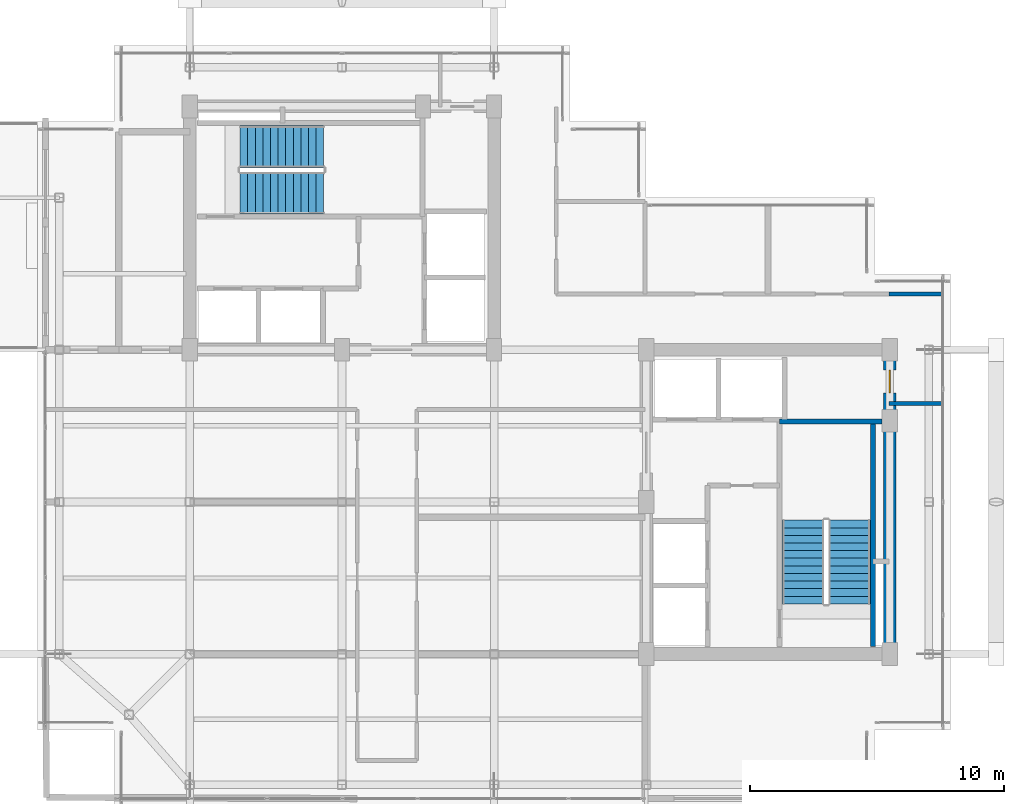
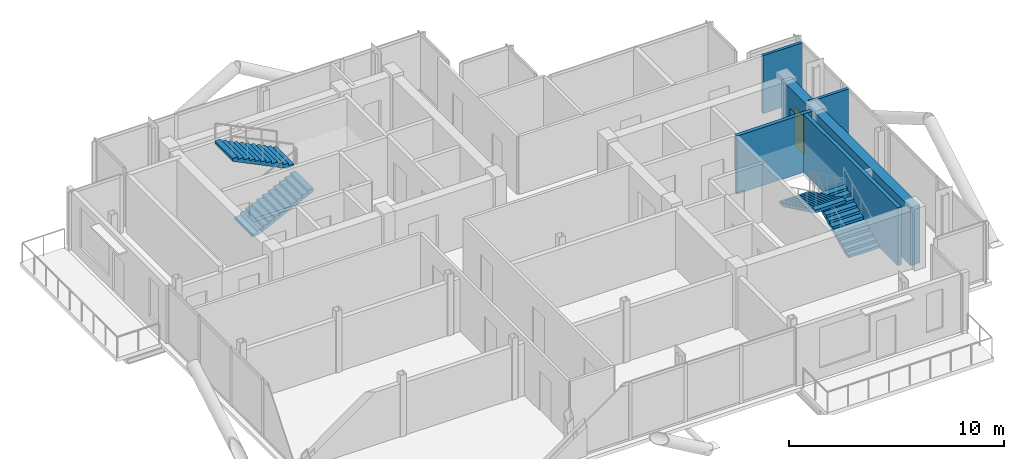
# One storey, part 17 of 19: 5 walls, 4 stair flights, 1 door, 1 opening, 2 elements without a shape of their own.
"""IFC4 building model written with IfcOpenShell, lengths in metres."""

from ifc_helpers import new_model, si_unit, direction, frame, frame_2d, origin, place, context, subcontext, project, spatial, polyline, rectangle, outline, extrude, material, layer, layer_set, type_object, element, fill, aggregate, save


model = new_model("IFC4")

# Units and contexts
model_context = context("Model", 3, precision=1e-05, world=origin(), true_north=direction((0.0, 1.0)))
body_context = subcontext(model_context, "Body", "Model", "MODEL_VIEW")
ifc_project = project(units=[si_unit("LENGTHUNIT", "METRE"), si_unit("AREAUNIT", "SQUARE_METRE"), si_unit("VOLUMEUNIT", "CUBIC_METRE"), si_unit("PLANEANGLEUNIT", "RADIAN"), si_unit("MASSUNIT", "GRAM", prefix="KILO"), si_unit("THERMODYNAMICTEMPERATUREUNIT", "KELVIN"), si_unit("POWERUNIT", "WATT")], contexts=[model_context])

# Site, building, storey
site_placement = place(None, origin())
site = spatial("IfcSite", under=ifc_project, at=site_placement, CompositionType="ELEMENT")
building_placement = place(site_placement, origin())
building = spatial("IfcBuilding", under=site, at=building_placement, Name="Svarakhadi Broadcast Tower", CompositionType="ELEMENT")
storey_placement = place(building_placement, frame((0.0, 0.0, 285.199951171875)))
storey = spatial("IfcBuildingStorey", under=building, at=storey_placement, Name="L72", CompositionType="ELEMENT", Elevation=285.199951171875)

# Walls
ifc_material_1 = material(Name="Autoclaved Aerated Concrete Blockwork 150 mm", Category="masonry")
ifc_layer_1 = layer(ifc_material_1, 0.14990234375)
ifc_layer_set_1 = layer_set([ifc_layer_1], Name="Autoclaved Aerated Concrete Blockwork 150 mm")
wall_type_1 = type_object("IfcWallType", Name="Wall_Part_150", PredefinedType="PARTITIONING", material=ifc_layer_set_1)
for number, where, z_axis, x_axis, name in (
    (1, (33.580078125, 20.199951171875, 0.0), (0.0, 0.0, 1.0), (1.0, 0.0, 0.0), "L72 Upper Tower Concourse Wall"),
    (2, (35.699951171875, 15.8798828125, 0.0), (0.0, 0.0, 1.0), (-1.0, 0.0, 0.0), "L72 Upper Tower Concourse Wall"),
):
    element("IfcWall", number, at=place(storey_placement, frame(where, z_axis=z_axis, x_axis=x_axis)), inside=storey, type_object=wall_type_1, Name=name, PredefinedType="PARTITIONING", context=body_context, shape_type="SweptSolid", body=[
        extrude(rectangle(XDim=2.119873046875, YDim=0.14990234375, at=frame_2d((1.06005859375, 0.0))), origin(), (0.0, 0.0, 1.0), 3.300048828125),
    ])
ifc_material_2 = material(Name="Concrete C50/60 (IS 456 M60)", Category="concrete")
ifc_layer_2 = layer(ifc_material_2, 0.199951171875)
ifc_layer_set_2 = layer_set([ifc_layer_2], Name="Concrete C50/60 (IS 456 M60)")
wall_type_2 = type_object("IfcWallType", Name="Wall_Shear_200", PredefinedType="SHEAR", material=ifc_layer_set_2)
wall_1_placement = place(storey_placement, frame((32.93994140625, 6.300048828125, 0.0), z_axis=(0.0, 0.0, 1.0), x_axis=(0.0, 1.0, 0.0)))
element("IfcWall", 3, at=wall_1_placement, inside=storey, type_object=wall_type_2, Name="L72 Stair ST-02 East RC Shaft Wall", PredefinedType="SHEAR", context=body_context, shape_type="SweptSolid", body=[
    extrude(rectangle(XDim=8.8798828125, YDim=0.199951171875, at=frame_2d((4.43994140625, 0.0))), origin(), (0.0, 0.0, 1.0), 3.300048828125),
])
wall_2_placement = place(storey_placement, frame((29.260009765625, 15.179931640625, 0.0), z_axis=(0.0, 0.0, 1.0), x_axis=(1.0, 0.0, 0.0)))
element("IfcWall", 4, at=wall_2_placement, inside=storey, type_object=wall_type_2, Name="L72 Stair ST-02 North RC Shaft Wall", PredefinedType="SHEAR", context=body_context, shape_type="SweptSolid", body=[
    extrude(rectangle(XDim=4.0400390625, YDim=0.199951171875, at=frame_2d((2.02001953125, 0.0))), origin(), (0.0, 0.0, 1.0), 3.300048828125),
])

# Wall, opening, door
ifc_layer_3 = layer(ifc_material_2, 0.5)
ifc_layer_set_3 = layer_set([ifc_layer_3], Name="Concrete C50/60 (IS 456 M60)")
wall_type_3 = type_object("IfcWallType", Name="Wall_Shear_500", PredefinedType="SHEAR", material=ifc_layer_set_3)
wall_3_placement = place(storey_placement, frame((33.60009765625, 6.0, 0.0), z_axis=(0.0, 0.0, 1.0), x_axis=(0.0, 1.0, 0.0)))
wall_3 = element("IfcWall", 5, at=wall_3_placement, inside=storey, type_object=wall_type_3, Name="L72 East Core East Shear Wall", PredefinedType="SHEAR", context=body_context, shape_type="SweptSolid", body=[
    extrude(rectangle(XDim=12.0, YDim=0.5, at=frame_2d((6.0, 0.0))), origin(), (0.0, 0.0, 1.0), 3.300048828125),
])
opening_placement = place(wall_3_placement, frame((10.300048828125, 0.0, 0.0)))
opening = element("IfcOpeningElement", 6, at=opening_placement, cuts=wall_3, Name="Opening D-03", PredefinedType="OPENING", context=body_context, shape_type="SweptSolid", body=[
    extrude(rectangle(XDim=0.89990234375, YDim=2.14990234375, at=frame_2d((0.449951171875, 1.074951171875))), frame((0.0, 0.260009765625, 0.0), z_axis=(0.0, -1.0, 0.0), x_axis=(1.0, 0.0, 0.0)), (0.0, 0.0, 1.0), 0.52001953125),
])
ifc_material_3 = material(Name="Galvanised Powder-Coated Fire-Rated Steel Leaf", Category="steel")
door_type = type_object("IfcDoorType", Name="Door_Fire_D03", OperationType="SINGLE_SWING_LEFT", PredefinedType="DOOR", material=ifc_material_3)
door_placement = place(opening_placement, origin())
door = element("IfcDoor", 7, at=door_placement, inside=storey, type_object=door_type, Name="L72 Core Service Room East Door", OperationType="SINGLE_SWING_LEFT", OverallHeight=2.14990234375, OverallWidth=0.89990234375, PredefinedType="DOOR", context=body_context, shape_type="SweptSolid", body=[
    extrude(rectangle(XDim=0.89990234375, YDim=2.14990234375, at=frame_2d((0.449951171875, 1.074951171875))), frame((0.0, 0.02490234375, 0.0), z_axis=(0.0, -1.0, 0.0), x_axis=(1.0, 0.0, 0.0)), (0.0, 0.0, 1.0), 0.050048828125),
])
fill(opening, door)

# Stair, stair flights
ifc_material_4 = material(Name="Concrete C40/50 (IS 456 M50)", Category="concrete")
stair_type = type_object("IfcStairType", Name="Stair_Exit_Core", PredefinedType="HALF_TURN_STAIR", material=ifc_material_4)
stair_1_placement = place(storey_placement, origin())
stair_1 = element("IfcStair", 8, at=stair_1_placement, inside=storey, type_object=stair_type, Name="L72 West Core Protected Exit Stair ST-01", PredefinedType="HALF_TURN_STAIR")
stair_flight_type = type_object("IfcStairFlightType", Name="Flight_RC_1680", PredefinedType="STRAIGHT", material=ifc_material_4)
stair_flight_1_placement = place(storey_placement, frame((7.97998046875, 24.18994140625, 0.0), z_axis=(0.0, 0.0, 1.0), x_axis=(1.0, 0.0, 0.0)))
stair_flight_1 = element("IfcStairFlight", 9, at=stair_flight_1_placement, type_object=stair_flight_type, Name="ST-01 flight 1", NumberOfRisers=12, NumberOfTreads=11, PredefinedType="STRAIGHT", RiserHeight=0.145833333, TreadLength=0.3, context=body_context, shape_type="SweptSolid", body=[
    extrude(outline(polyline([(0.0, 0.0), (0.0, 0.145751953125), (0.300048828125, 0.145751953125), (0.300048828125, 0.291748046875), (0.60009765625, 0.291748046875), (0.60009765625, 0.4375), (0.89990234375, 0.4375), (0.89990234375, 0.583251953125), (1.199951171875, 0.583251953125), (1.199951171875, 0.729248046875), (1.5, 0.729248046875), (1.5, 0.875), (1.800048828125, 0.875), (1.800048828125, 1.020751953125), (2.10009765625, 1.020751953125), (2.10009765625, 1.166748046875), (2.39990234375, 1.166748046875), (2.39990234375, 1.3125), (2.699951171875, 1.3125), (2.699951171875, 1.458251953125), (3.0, 1.458251953125), (3.0, 1.604248046875), (3.300048828125, 1.604248046875), (3.300048828125, 1.75), (3.300048828125, 1.4375), (0.3427734375, 0.0), (0.0, 0.0)])), frame((0.0, 0.830078125, 0.0), z_axis=(0.0, -1.0, 0.0), x_axis=(1.0, 0.0, 0.0)), (0.0, 0.0, 1.0), 1.659912109375),
])
stair_flight_2_placement = place(storey_placement, frame((11.280029296875, 26.010009765625, 1.75), z_axis=(0.0, 0.0, 1.0), x_axis=(-1.0, 0.0, 0.0)))
stair_flight_2 = element("IfcStairFlight", 10, at=stair_flight_2_placement, type_object=stair_flight_type, Name="ST-01 flight 2", NumberOfRisers=12, NumberOfTreads=11, PredefinedType="STRAIGHT", RiserHeight=0.145833333, TreadLength=0.3, context=body_context, shape_type="SweptSolid", body=[
    extrude(outline(polyline([(0.0, 0.0), (0.0, 0.145751953125), (0.300048828125, 0.145751953125), (0.300048828125, 0.291748046875), (0.60009765625, 0.291748046875), (0.60009765625, 0.4375), (0.89990234375, 0.4375), (0.89990234375, 0.583251953125), (1.199951171875, 0.583251953125), (1.199951171875, 0.729248046875), (1.5, 0.729248046875), (1.5, 0.875), (1.800048828125, 0.875), (1.800048828125, 1.020751953125), (2.10009765625, 1.020751953125), (2.10009765625, 1.166748046875), (2.39990234375, 1.166748046875), (2.39990234375, 1.3125), (2.699951171875, 1.3125), (2.699951171875, 1.458251953125), (3.0, 1.458251953125), (3.0, 1.604248046875), (3.300048828125, 1.604248046875), (3.300048828125, 1.75), (3.300048828125, 1.4375), (0.3427734375, 0.0), (0.0, 0.0)])), frame((0.0, 0.830078125, 0.0), z_axis=(0.0, -1.0, 0.0), x_axis=(1.0, 0.0, 0.0)), (0.0, 0.0, 1.0), 1.659912109375),
])
aggregate(stair_1, [stair_flight_1, stair_flight_2])

stair_2_placement = place(storey_placement, origin())
stair_2 = element("IfcStair", 11, at=stair_2_placement, inside=storey, type_object=stair_type, Name="L72 East Core Protected Exit Stair ST-02", PredefinedType="HALF_TURN_STAIR")
stair_flight_3_placement = place(storey_placement, frame((32.010009765625, 7.97998046875, 0.0), z_axis=(0.0, 0.0, 1.0), x_axis=(0.0, 1.0, 0.0)))
stair_flight_3 = element("IfcStairFlight", 12, at=stair_flight_3_placement, type_object=stair_flight_type, Name="ST-02 flight 1", NumberOfRisers=12, NumberOfTreads=11, PredefinedType="STRAIGHT", RiserHeight=0.145833333, TreadLength=0.3, context=body_context, shape_type="SweptSolid", body=[
    extrude(outline(polyline([(0.0, 0.0), (0.0, 0.145751953125), (0.300048828125, 0.145751953125), (0.300048828125, 0.291748046875), (0.60009765625, 0.291748046875), (0.60009765625, 0.4375), (0.89990234375, 0.4375), (0.89990234375, 0.583251953125), (1.199951171875, 0.583251953125), (1.199951171875, 0.729248046875), (1.5, 0.729248046875), (1.5, 0.875), (1.800048828125, 0.875), (1.800048828125, 1.020751953125), (2.10009765625, 1.020751953125), (2.10009765625, 1.166748046875), (2.39990234375, 1.166748046875), (2.39990234375, 1.3125), (2.699951171875, 1.3125), (2.699951171875, 1.458251953125), (3.0, 1.458251953125), (3.0, 1.604248046875), (3.300048828125, 1.604248046875), (3.300048828125, 1.75), (3.300048828125, 1.4375), (0.3427734375, 0.0), (0.0, 0.0)])), frame((0.0, 0.830078125, 0.0), z_axis=(0.0, -1.0, 0.0), x_axis=(1.0, 0.0, 0.0)), (0.0, 0.0, 1.0), 1.659912109375),
])
stair_flight_4_placement = place(storey_placement, frame((30.18994140625, 11.280029296875, 1.75), z_axis=(0.0, 0.0, 1.0), x_axis=(0.0, -1.0, 0.0)))
stair_flight_4 = element("IfcStairFlight", 13, at=stair_flight_4_placement, type_object=stair_flight_type, Name="ST-02 flight 2", NumberOfRisers=12, NumberOfTreads=11, PredefinedType="STRAIGHT", RiserHeight=0.145833333, TreadLength=0.3, context=body_context, shape_type="SweptSolid", body=[
    extrude(outline(polyline([(0.0, 0.0), (0.0, 0.145751953125), (0.300048828125, 0.145751953125), (0.300048828125, 0.291748046875), (0.60009765625, 0.291748046875), (0.60009765625, 0.4375), (0.89990234375, 0.4375), (0.89990234375, 0.583251953125), (1.199951171875, 0.583251953125), (1.199951171875, 0.729248046875), (1.5, 0.729248046875), (1.5, 0.875), (1.800048828125, 0.875), (1.800048828125, 1.020751953125), (2.10009765625, 1.020751953125), (2.10009765625, 1.166748046875), (2.39990234375, 1.166748046875), (2.39990234375, 1.3125), (2.699951171875, 1.3125), (2.699951171875, 1.458251953125), (3.0, 1.458251953125), (3.0, 1.604248046875), (3.300048828125, 1.604248046875), (3.300048828125, 1.75), (3.300048828125, 1.4375), (0.3427734375, 0.0), (0.0, 0.0)])), frame((0.0, 0.830078125, 0.0), z_axis=(0.0, -1.0, 0.0), x_axis=(1.0, 0.0, 0.0)), (0.0, 0.0, 1.0), 1.659912109375),
])
aggregate(stair_2, [stair_flight_3, stair_flight_4])

save(model, "model.ifc")
